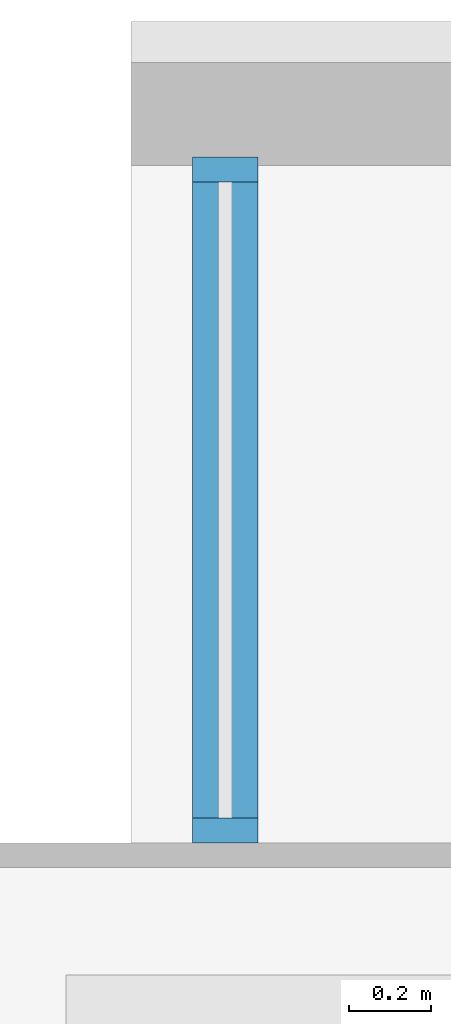
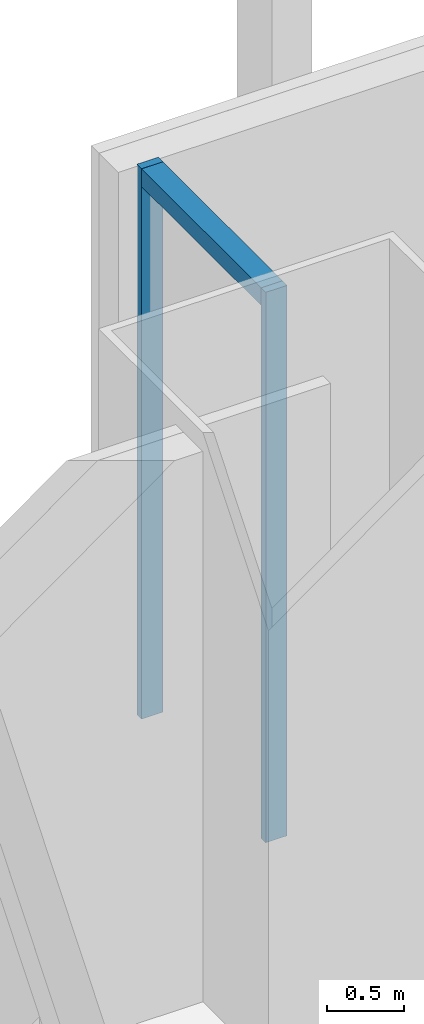
# One storey, part 10 of 22: 3 members, 1 element without a shape of its own.
"""IFC4 building model written with IfcOpenShell, lengths in metres."""

from ifc_helpers import new_model, si_unit, direction, frame, origin, origin_2d, place, context, subcontext, project, spatial, rectangle, extrude, material, material_profile, profile_set, type_object, element, aggregate, save


model = new_model("IFC4")

# Units and contexts
model_context = context("Model", 3, precision=1e-05, world=origin(), true_north=direction((0.0, 1.0)))
body_context = subcontext(model_context, "Body", "Model", "MODEL_VIEW")
ifc_project = project(units=[si_unit("LENGTHUNIT", "METRE"), si_unit("AREAUNIT", "SQUARE_METRE"), si_unit("VOLUMEUNIT", "CUBIC_METRE"), si_unit("PLANEANGLEUNIT", "RADIAN"), si_unit("MASSUNIT", "GRAM", prefix="KILO")], contexts=[model_context])

# Site, building, storey
site_placement = place(None, origin())
site = spatial("IfcSite", under=ifc_project, at=site_placement, CompositionType="ELEMENT")
building_placement = place(site_placement, origin())
building = spatial("IfcBuilding", under=site, at=building_placement, Name="Bicima Exchange Tower", CompositionType="ELEMENT")
storey_placement = place(building_placement, frame((0.0, 0.0, 293.0)))
storey = spatial("IfcBuildingStorey", under=building, at=storey_placement, Name="L66", CompositionType="ELEMENT", Elevation=293.0)

# Curtain wall, members
ifc_material = material(Name="Anodised bronze aluminium", Category="aluminium")
curtain_wall_type = type_object("IfcCurtainWallType", Name="Front glass wall", PredefinedType="NOTDEFINED", material=ifc_material)
curtain_wall_placement = place(storey_placement, origin())
curtain_wall = element("IfcCurtainWall", 1, at=curtain_wall_placement, inside=storey, type_object=curtain_wall_type, Name="Front glass wall L66 run 1", PredefinedType="NOTDEFINED")
ifc_material_profile_1 = material_profile(ifc_material, rectangle(XDim=0.159912109375, YDim=0.06005859375, at=origin_2d()))
ifc_profile_set_1 = profile_set([ifc_material_profile_1], Name="Anodised bronze aluminium")
member_type_1 = type_object("IfcMemberType", Name="Front glass wall mullion 60 x 160", PredefinedType="MULLION", material=ifc_profile_set_1)
member_1_placement = place(storey_placement, frame((-32.77001953125, -0.260009765625, 0.0), z_axis=(0.0, 0.0, 1.0), x_axis=(1.0, 0.0, 0.0)))
member_1 = element("IfcMember", 2, at=member_1_placement, type_object=member_type_1, Name="Front glass wall mullion 1", PredefinedType="MULLION", context=body_context, shape_type="SweptSolid", body=[
    extrude(rectangle(XDim=0.159912109375, YDim=0.06005859375, at=origin_2d()), origin(), (0.0, 0.0, 1.0), 4.35009765625),
])
member_2_placement = place(storey_placement, frame((-32.77001953125, -1.8701171875, 0.0), z_axis=(0.0, 0.0, 1.0), x_axis=(1.0, 0.0, 0.0)))
member_2 = element("IfcMember", 3, at=member_2_placement, type_object=member_type_1, Name="Front glass wall mullion 2", PredefinedType="MULLION", context=body_context, shape_type="SweptSolid", body=[
    extrude(rectangle(XDim=0.159912109375, YDim=0.06005859375, at=origin_2d()), origin(), (0.0, 0.0, 1.0), 4.35009765625),
])
ifc_material_profile_2 = material_profile(ifc_material, rectangle(XDim=0.159912109375, YDim=0.139892578125, at=origin_2d()))
ifc_profile_set_2 = profile_set([ifc_material_profile_2], Name="Anodised bronze aluminium")
member_type_2 = type_object("IfcMemberType", Name="Front glass wall transom 140 x 160", PredefinedType="USERDEFINED", material=ifc_profile_set_2)
member_3_placement = place(storey_placement, frame((-32.77001953125, -0.2900390625, 4.280029296875), z_axis=(0.0, -1.0, 0.0), x_axis=(1.0, 0.0, 0.0)))
member_3 = element("IfcMember", 4, at=member_3_placement, type_object=member_type_2, Name="Front glass wall transom 1.1", ObjectType="TRANSOM", PredefinedType="USERDEFINED", context=body_context, shape_type="SweptSolid", body=[
    extrude(rectangle(XDim=0.159912109375, YDim=0.139892578125, at=origin_2d()), origin(), (0.0, 0.0, 1.0), 1.550048828125),
])
aggregate(curtain_wall, [member_1, member_2, member_3])

save(model, "model.ifc")
